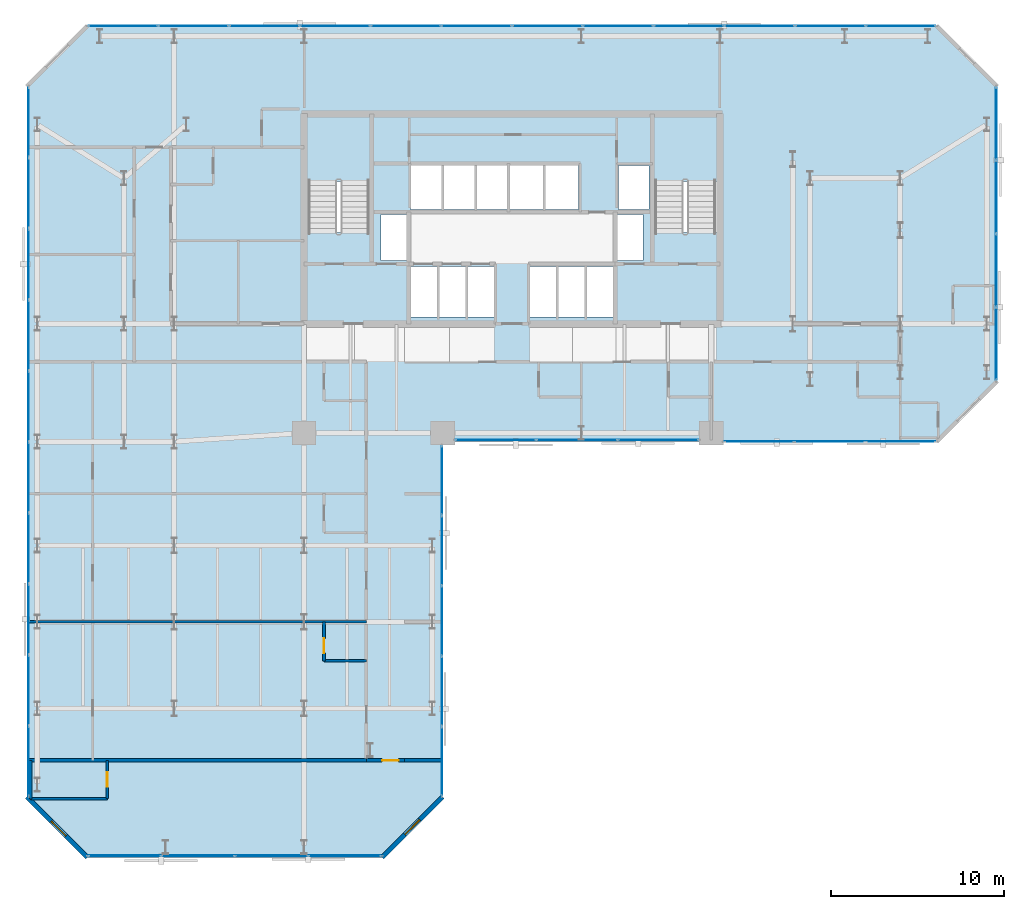
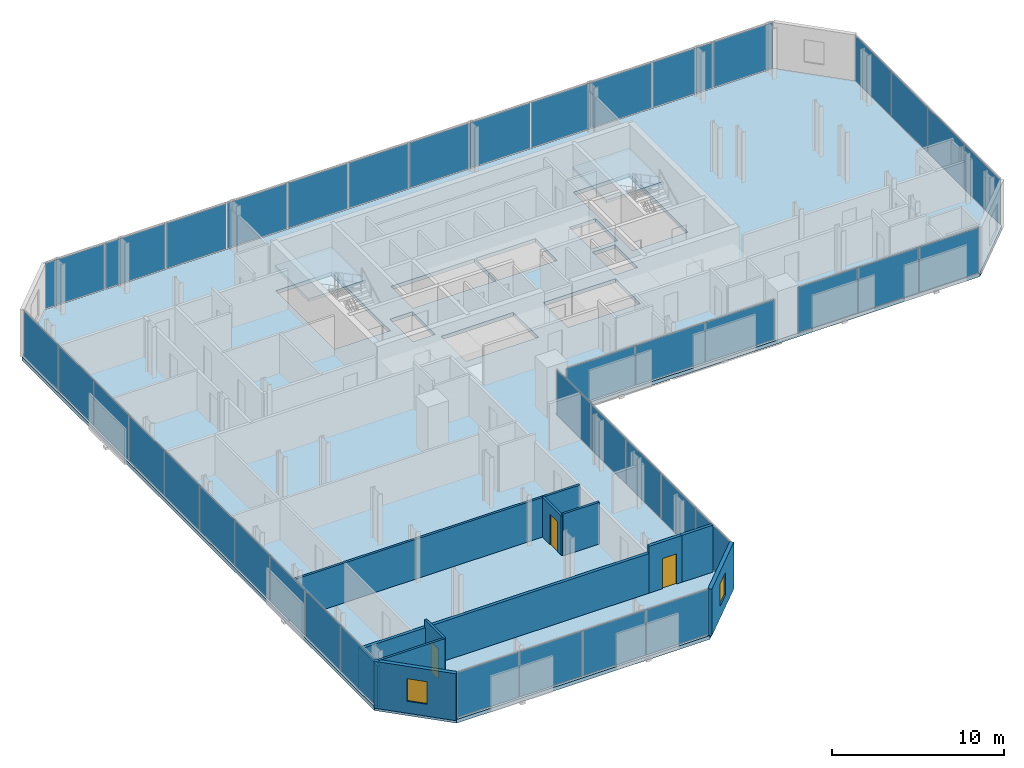
# One storey, part 28 of 33: 41 plates, 11 walls, 3 doors, 3 slabs, 2 windows, 5 openings, 9 elements without a shape of their own.
"""IFC4 building model written with IfcOpenShell, lengths in metres."""

from ifc_helpers import new_model, si_unit, direction, frame, frame_2d, origin, origin_2d, place, context, subcontext, project, spatial, polyline, rectangle, outline, extrude, material, layer, layer_set, type_object, element, fill, aggregate, save


model = new_model("IFC4")

# Units and contexts
model_context = context("Model", 3, precision=1e-05, world=origin(), true_north=direction((0.0, 1.0)))
body_context = subcontext(model_context, "Body", "Model", "MODEL_VIEW")
ifc_project = project(units=[si_unit("LENGTHUNIT", "METRE"), si_unit("AREAUNIT", "SQUARE_METRE"), si_unit("VOLUMEUNIT", "CUBIC_METRE"), si_unit("PLANEANGLEUNIT", "RADIAN"), si_unit("MASSUNIT", "GRAM", prefix="KILO")], contexts=[model_context])

# Site, building, storey
site_placement = place(None, origin())
site = spatial("IfcSite", under=ifc_project, at=site_placement, CompositionType="ELEMENT")
building_placement = place(site_placement, origin())
building = spatial("IfcBuilding", under=site, at=building_placement, Name="Catumbela Crestline Tower", CompositionType="ELEMENT")
storey_placement = place(building_placement, frame((0.0, 0.0, 47.4)))
storey = spatial("IfcBuildingStorey", under=building, at=storey_placement, Name="L11", CompositionType="ELEMENT", Elevation=47.4)

# Curtain wall, plates
ifc_material_1 = material(Name="Aluminium alloy AW-6060-T66", Category="aluminium")
ifc_layer_1 = layer(ifc_material_1, 0.18, Name="Aluminium alloy AW-6060-T66")
ifc_layer_set_1 = layer_set([ifc_layer_1], Name="Aluminium alloy AW-6060-T66")
curtain_wall_type = type_object("IfcCurtainWallType", Name="CWU-Z1", PredefinedType="USERDEFINED", material=ifc_layer_set_1)
curtain_wall_1_placement = place(storey_placement, origin())
curtain_wall_1 = element("IfcCurtainWall", 1, at=curtain_wall_1_placement, inside=storey, type_object=curtain_wall_type, Name="L11 Unitised Curtain Wall CW-L11-E0S1", ObjectType="UNITISED", PredefinedType="USERDEFINED")
ifc_material_2 = material(Name="Low-E laminated solar-control double glazing", Category="glass")
ifc_layer_2 = layer(ifc_material_2, 0.034, Name="Low-E laminated solar-control double glazing")
ifc_layer_set_2 = layer_set([ifc_layer_2], Name="Low-E laminated solar-control double glazing")
plate_type = type_object("IfcPlateType", Name="PNL-GLZ-Z1", PredefinedType="CURTAIN_PANEL", material=ifc_layer_set_2)
plate_1_placement = place(storey_placement, frame((5.6412, 0.1, 0.06), z_axis=(0.0, 0.0, 1.0), x_axis=(1.0, 0.0, 0.0)))
plate_1 = element("IfcPlate", 2, at=plate_1_placement, type_object=plate_type, Name="CWU-Z1 panel 1.1", PredefinedType="CURTAIN_PANEL", context=body_context, shape_type="SweptSolid", body=[
    extrude(rectangle(XDim=4.1525, YDim=0.034, at=origin_2d()), origin(), (0.0, 0.0, 1.0), 3.21),
])
plate_2_placement = place(storey_placement, frame((9.875, 0.1, 0.06), z_axis=(0.0, 0.0, 1.0), x_axis=(1.0, 0.0, 0.0)))
plate_2 = element("IfcPlate", 3, at=plate_2_placement, type_object=plate_type, Name="CWU-Z1 panel 2.1", PredefinedType="CURTAIN_PANEL", context=body_context, shape_type="SweptSolid", body=[
    extrude(rectangle(XDim=4.185, YDim=0.034, at=origin_2d()), origin(), (0.0, 0.0, 1.0), 3.21),
])
plate_3_placement = place(storey_placement, frame((14.125, 0.1, 0.06), z_axis=(0.0, 0.0, 1.0), x_axis=(1.0, 0.0, 0.0)))
plate_3 = element("IfcPlate", 4, at=plate_3_placement, type_object=plate_type, Name="CWU-Z1 panel 3.1", PredefinedType="CURTAIN_PANEL", context=body_context, shape_type="SweptSolid", body=[
    extrude(rectangle(XDim=4.185, YDim=0.034, at=origin_2d()), origin(), (0.0, 0.0, 1.0), 3.21),
])
plate_4_placement = place(storey_placement, frame((18.3588, 0.1, 0.06), z_axis=(0.0, 0.0, 1.0), x_axis=(1.0, 0.0, 0.0)))
plate_4 = element("IfcPlate", 5, at=plate_4_placement, type_object=plate_type, Name="CWU-Z1 panel 4.1", PredefinedType="CURTAIN_PANEL", context=body_context, shape_type="SweptSolid", body=[
    extrude(rectangle(XDim=4.1525, YDim=0.034, at=origin_2d()), origin(), (0.0, 0.0, 1.0), 3.21),
])
aggregate(curtain_wall_1, [plate_1, plate_2, plate_3, plate_4])

curtain_wall_2_placement = place(storey_placement, origin())
curtain_wall_2 = element("IfcCurtainWall", 6, at=curtain_wall_2_placement, inside=storey, type_object=curtain_wall_type, Name="L11 Unitised Curtain Wall CW-L11-E2S1", ObjectType="UNITISED", PredefinedType="USERDEFINED")
plate_5_placement = place(storey_placement, frame((23.95, 5.5462, 0.06), z_axis=(0.0, 0.0, 1.0), x_axis=(0.0, 1.0, 0.0)))
plate_5 = element("IfcPlate", 7, at=plate_5_placement, type_object=plate_type, Name="CWU-Z1 panel 1.1", PredefinedType="CURTAIN_PANEL", context=body_context, shape_type="SweptSolid", body=[
    extrude(rectangle(XDim=3.9625, YDim=0.034, at=origin_2d()), origin(), (0.0, 0.0, 1.0), 3.21),
])
plate_6_placement = place(storey_placement, frame((23.95, 9.59, 0.06), z_axis=(0.0, 0.0, 1.0), x_axis=(0.0, 1.0, 0.0)))
plate_6 = element("IfcPlate", 8, at=plate_6_placement, type_object=plate_type, Name="CWU-Z1 panel 2.1", PredefinedType="CURTAIN_PANEL", context=body_context, shape_type="SweptSolid", body=[
    extrude(rectangle(XDim=3.995, YDim=0.034, at=origin_2d()), origin(), (0.0, 0.0, 1.0), 3.21),
])
plate_7_placement = place(storey_placement, frame((23.95, 13.65, 0.06), z_axis=(0.0, 0.0, 1.0), x_axis=(0.0, 1.0, 0.0)))
plate_7 = element("IfcPlate", 9, at=plate_7_placement, type_object=plate_type, Name="CWU-Z1 panel 3.1", PredefinedType="CURTAIN_PANEL", context=body_context, shape_type="SweptSolid", body=[
    extrude(rectangle(XDim=3.995, YDim=0.034, at=origin_2d()), origin(), (0.0, 0.0, 1.0), 3.21),
])
plate_8_placement = place(storey_placement, frame((23.95, 17.71, 0.06), z_axis=(0.0, 0.0, 1.0), x_axis=(0.0, 1.0, 0.0)))
plate_8 = element("IfcPlate", 10, at=plate_8_placement, type_object=plate_type, Name="CWU-Z1 panel 4.1", PredefinedType="CURTAIN_PANEL", context=body_context, shape_type="SweptSolid", body=[
    extrude(rectangle(XDim=3.995, YDim=0.034, at=origin_2d()), origin(), (0.0, 0.0, 1.0), 3.21),
])
plate_9_placement = place(storey_placement, frame((23.95, 21.7538, 0.06), z_axis=(0.0, 0.0, 1.0), x_axis=(0.0, 1.0, 0.0)))
plate_9 = element("IfcPlate", 11, at=plate_9_placement, type_object=plate_type, Name="CWU-Z1 panel 5.1", PredefinedType="CURTAIN_PANEL", context=body_context, shape_type="SweptSolid", body=[
    extrude(rectangle(XDim=3.9625, YDim=0.034, at=origin_2d()), origin(), (0.0, 0.0, 1.0), 3.21),
])
aggregate(curtain_wall_2, [plate_5, plate_6, plate_7, plate_8, plate_9])

curtain_wall_3_placement = place(storey_placement, origin())
curtain_wall_3 = element("IfcCurtainWall", 12, at=curtain_wall_3_placement, inside=storey, type_object=curtain_wall_type, Name="L11 Unitised Curtain Wall CW-L11-E3S1", ObjectType="UNITISED", PredefinedType="USERDEFINED")
plate_10_placement = place(storey_placement, frame((27.0662, 24.1, 0.06), z_axis=(0.0, 0.0, 1.0), x_axis=(1.0, 0.0, 0.0)))
plate_10 = element("IfcPlate", 13, at=plate_10_placement, type_object=plate_type, Name="CWU-Z1 panel 1.1", PredefinedType="CURTAIN_PANEL", context=body_context, shape_type="SweptSolid", body=[
    extrude(rectangle(XDim=4.6025, YDim=0.034, at=origin_2d()), origin(), (0.0, 0.0, 1.0), 2.81),
])
plate_11_placement = place(storey_placement, frame((31.75, 24.1, 0.06), z_axis=(0.0, 0.0, 1.0), x_axis=(1.0, 0.0, 0.0)))
plate_11 = element("IfcPlate", 14, at=plate_11_placement, type_object=plate_type, Name="CWU-Z1 panel 2.1", PredefinedType="CURTAIN_PANEL", context=body_context, shape_type="SweptSolid", body=[
    extrude(rectangle(XDim=4.635, YDim=0.034, at=origin_2d()), origin(), (0.0, 0.0, 1.0), 2.81),
])
plate_12_placement = place(storey_placement, frame((36.4338, 24.1, 0.06), z_axis=(0.0, 0.0, 1.0), x_axis=(1.0, 0.0, 0.0)))
plate_12 = element("IfcPlate", 15, at=plate_12_placement, type_object=plate_type, Name="CWU-Z1 panel 3.1", PredefinedType="CURTAIN_PANEL", context=body_context, shape_type="SweptSolid", body=[
    extrude(rectangle(XDim=4.6025, YDim=0.034, at=origin_2d()), origin(), (0.0, 0.0, 1.0), 2.81),
])
aggregate(curtain_wall_3, [plate_10, plate_11, plate_12])

curtain_wall_4_placement = place(storey_placement, origin())
curtain_wall_4 = element("IfcCurtainWall", 16, at=curtain_wall_4_placement, inside=storey, type_object=curtain_wall_type, Name="L11 Unitised Curtain Wall CW-L11-E3S2", ObjectType="UNITISED", PredefinedType="USERDEFINED")
plate_13_placement = place(storey_placement, frame((42.2662, 24.0, 0.06), z_axis=(0.0, 0.0, 1.0), x_axis=(1.0, 0.0, 0.0)))
plate_13 = element("IfcPlate", 17, at=plate_13_placement, type_object=plate_type, Name="CWU-Z1 panel 1.1", PredefinedType="CURTAIN_PANEL", context=body_context, shape_type="SweptSolid", body=[
    extrude(rectangle(XDim=4.0025, YDim=0.034, at=origin_2d()), origin(), (0.0, 0.0, 1.0), 3.21),
])
plate_14_placement = place(storey_placement, frame((46.35, 24.0, 0.06), z_axis=(0.0, 0.0, 1.0), x_axis=(1.0, 0.0, 0.0)))
plate_14 = element("IfcPlate", 18, at=plate_14_placement, type_object=plate_type, Name="CWU-Z1 panel 2.1", PredefinedType="CURTAIN_PANEL", context=body_context, shape_type="SweptSolid", body=[
    extrude(rectangle(XDim=4.035, YDim=0.034, at=origin_2d()), origin(), (0.0, 0.0, 1.0), 3.21),
])
plate_15_placement = place(storey_placement, frame((50.4338, 24.0, 0.06), z_axis=(0.0, 0.0, 1.0), x_axis=(1.0, 0.0, 0.0)))
plate_15 = element("IfcPlate", 19, at=plate_15_placement, type_object=plate_type, Name="CWU-Z1 panel 3.1", PredefinedType="CURTAIN_PANEL", context=body_context, shape_type="SweptSolid", body=[
    extrude(rectangle(XDim=4.0025, YDim=0.034, at=origin_2d()), origin(), (0.0, 0.0, 1.0), 3.21),
])
aggregate(curtain_wall_4, [plate_13, plate_14, plate_15])

curtain_wall_5_placement = place(storey_placement, origin())
curtain_wall_5 = element("IfcCurtainWall", 20, at=curtain_wall_5_placement, inside=storey, type_object=curtain_wall_type, Name="L11 Unitised Curtain Wall CW-L11-E5S1", ObjectType="UNITISED", PredefinedType="USERDEFINED")
plate_16_placement = place(storey_placement, frame((55.95, 29.6412, 0.06), z_axis=(0.0, 0.0, 1.0), x_axis=(0.0, 1.0, 0.0)))
plate_16 = element("IfcPlate", 21, at=plate_16_placement, type_object=plate_type, Name="CWU-Z1 panel 1.1", PredefinedType="CURTAIN_PANEL", context=body_context, shape_type="SweptSolid", body=[
    extrude(rectangle(XDim=4.1525, YDim=0.034, at=origin_2d()), origin(), (0.0, 0.0, 1.0), 3.21),
])
plate_17_placement = place(storey_placement, frame((55.95, 33.875, 0.06), z_axis=(0.0, 0.0, 1.0), x_axis=(0.0, 1.0, 0.0)))
plate_17 = element("IfcPlate", 22, at=plate_17_placement, type_object=plate_type, Name="CWU-Z1 panel 2.1", PredefinedType="CURTAIN_PANEL", context=body_context, shape_type="SweptSolid", body=[
    extrude(rectangle(XDim=4.185, YDim=0.034, at=origin_2d()), origin(), (0.0, 0.0, 1.0), 3.21),
])
plate_18_placement = place(storey_placement, frame((55.95, 38.125, 0.06), z_axis=(0.0, 0.0, 1.0), x_axis=(0.0, 1.0, 0.0)))
plate_18 = element("IfcPlate", 23, at=plate_18_placement, type_object=plate_type, Name="CWU-Z1 panel 3.1", PredefinedType="CURTAIN_PANEL", context=body_context, shape_type="SweptSolid", body=[
    extrude(rectangle(XDim=4.185, YDim=0.034, at=origin_2d()), origin(), (0.0, 0.0, 1.0), 3.21),
])
plate_19_placement = place(storey_placement, frame((55.95, 42.3588, 0.06), z_axis=(0.0, 0.0, 1.0), x_axis=(0.0, 1.0, 0.0)))
plate_19 = element("IfcPlate", 24, at=plate_19_placement, type_object=plate_type, Name="CWU-Z1 panel 4.1", PredefinedType="CURTAIN_PANEL", context=body_context, shape_type="SweptSolid", body=[
    extrude(rectangle(XDim=4.1525, YDim=0.034, at=origin_2d()), origin(), (0.0, 0.0, 1.0), 3.21),
])
aggregate(curtain_wall_5, [plate_16, plate_17, plate_18, plate_19])

curtain_wall_6_placement = place(storey_placement, origin())
curtain_wall_6 = element("IfcCurtainWall", 25, at=curtain_wall_6_placement, inside=storey, type_object=curtain_wall_type, Name="L11 Unitised Curtain Wall CW-L11-E7S1", ObjectType="UNITISED", PredefinedType="USERDEFINED")
plate_20_placement = place(storey_placement, frame((50.4421, 48.0, 0.06), z_axis=(0.0, 0.0, 1.0), x_axis=(-1.0, 0.0, 0.0)))
plate_20 = element("IfcPlate", 26, at=plate_20_placement, type_object=plate_type, Name="CWU-Z1 panel 1.1", PredefinedType="CURTAIN_PANEL", context=body_context, shape_type="SweptSolid", body=[
    extrude(rectangle(XDim=3.9858, YDim=0.034, at=origin_2d()), origin(), (0.0, 0.0, 1.0), 3.21),
])
plate_21_placement = place(storey_placement, frame((46.375, 48.0, 0.06), z_axis=(0.0, 0.0, 1.0), x_axis=(-1.0, 0.0, 0.0)))
plate_21 = element("IfcPlate", 27, at=plate_21_placement, type_object=plate_type, Name="CWU-Z1 panel 2.1", PredefinedType="CURTAIN_PANEL", context=body_context, shape_type="SweptSolid", body=[
    extrude(rectangle(XDim=4.0183, YDim=0.034, at=origin_2d()), origin(), (0.0, 0.0, 1.0), 3.21),
])
plate_22_placement = place(storey_placement, frame((42.2917, 48.0, 0.06), z_axis=(0.0, 0.0, 1.0), x_axis=(-1.0, 0.0, 0.0)))
plate_22 = element("IfcPlate", 28, at=plate_22_placement, type_object=plate_type, Name="CWU-Z1 panel 3.1", PredefinedType="CURTAIN_PANEL", context=body_context, shape_type="SweptSolid", body=[
    extrude(rectangle(XDim=4.0183, YDim=0.034, at=origin_2d()), origin(), (0.0, 0.0, 1.0), 3.21),
])
plate_23_placement = place(storey_placement, frame((38.2083, 48.0, 0.06), z_axis=(0.0, 0.0, 1.0), x_axis=(-1.0, 0.0, 0.0)))
plate_23 = element("IfcPlate", 29, at=plate_23_placement, type_object=plate_type, Name="CWU-Z1 panel 4.1", PredefinedType="CURTAIN_PANEL", context=body_context, shape_type="SweptSolid", body=[
    extrude(rectangle(XDim=4.0183, YDim=0.034, at=origin_2d()), origin(), (0.0, 0.0, 1.0), 3.21),
])
plate_24_placement = place(storey_placement, frame((34.125, 48.0, 0.06), z_axis=(0.0, 0.0, 1.0), x_axis=(-1.0, 0.0, 0.0)))
plate_24 = element("IfcPlate", 30, at=plate_24_placement, type_object=plate_type, Name="CWU-Z1 panel 5.1", PredefinedType="CURTAIN_PANEL", context=body_context, shape_type="SweptSolid", body=[
    extrude(rectangle(XDim=4.0183, YDim=0.034, at=origin_2d()), origin(), (0.0, 0.0, 1.0), 3.21),
])
plate_25_placement = place(storey_placement, frame((30.0417, 48.0, 0.06), z_axis=(0.0, 0.0, 1.0), x_axis=(-1.0, 0.0, 0.0)))
plate_25 = element("IfcPlate", 31, at=plate_25_placement, type_object=plate_type, Name="CWU-Z1 panel 6.1", PredefinedType="CURTAIN_PANEL", context=body_context, shape_type="SweptSolid", body=[
    extrude(rectangle(XDim=4.0183, YDim=0.034, at=origin_2d()), origin(), (0.0, 0.0, 1.0), 3.21),
])
plate_26_placement = place(storey_placement, frame((25.9583, 48.0, 0.06), z_axis=(0.0, 0.0, 1.0), x_axis=(-1.0, 0.0, 0.0)))
plate_26 = element("IfcPlate", 32, at=plate_26_placement, type_object=plate_type, Name="CWU-Z1 panel 7.1", PredefinedType="CURTAIN_PANEL", context=body_context, shape_type="SweptSolid", body=[
    extrude(rectangle(XDim=4.0183, YDim=0.034, at=origin_2d()), origin(), (0.0, 0.0, 1.0), 3.21),
])
plate_27_placement = place(storey_placement, frame((21.875, 48.0, 0.06), z_axis=(0.0, 0.0, 1.0), x_axis=(-1.0, 0.0, 0.0)))
plate_27 = element("IfcPlate", 33, at=plate_27_placement, type_object=plate_type, Name="CWU-Z1 panel 8.1", PredefinedType="CURTAIN_PANEL", context=body_context, shape_type="SweptSolid", body=[
    extrude(rectangle(XDim=4.0183, YDim=0.034, at=origin_2d()), origin(), (0.0, 0.0, 1.0), 3.21),
])
plate_28_placement = place(storey_placement, frame((17.7917, 48.0, 0.06), z_axis=(0.0, 0.0, 1.0), x_axis=(-1.0, 0.0, 0.0)))
plate_28 = element("IfcPlate", 34, at=plate_28_placement, type_object=plate_type, Name="CWU-Z1 panel 9.1", PredefinedType="CURTAIN_PANEL", context=body_context, shape_type="SweptSolid", body=[
    extrude(rectangle(XDim=4.0183, YDim=0.034, at=origin_2d()), origin(), (0.0, 0.0, 1.0), 3.21),
])
plate_29_placement = place(storey_placement, frame((13.7083, 48.0, 0.06), z_axis=(0.0, 0.0, 1.0), x_axis=(-1.0, 0.0, 0.0)))
plate_29 = element("IfcPlate", 35, at=plate_29_placement, type_object=plate_type, Name="CWU-Z1 panel 10.1", PredefinedType="CURTAIN_PANEL", context=body_context, shape_type="SweptSolid", body=[
    extrude(rectangle(XDim=4.0183, YDim=0.034, at=origin_2d()), origin(), (0.0, 0.0, 1.0), 3.21),
])
plate_30_placement = place(storey_placement, frame((9.625, 48.0, 0.06), z_axis=(0.0, 0.0, 1.0), x_axis=(-1.0, 0.0, 0.0)))
plate_30 = element("IfcPlate", 36, at=plate_30_placement, type_object=plate_type, Name="CWU-Z1 panel 11.1", PredefinedType="CURTAIN_PANEL", context=body_context, shape_type="SweptSolid", body=[
    extrude(rectangle(XDim=4.0183, YDim=0.034, at=origin_2d()), origin(), (0.0, 0.0, 1.0), 3.21),
])
plate_31_placement = place(storey_placement, frame((5.5579, 48.0, 0.06), z_axis=(0.0, 0.0, 1.0), x_axis=(-1.0, 0.0, 0.0)))
plate_31 = element("IfcPlate", 37, at=plate_31_placement, type_object=plate_type, Name="CWU-Z1 panel 12.1", PredefinedType="CURTAIN_PANEL", context=body_context, shape_type="SweptSolid", body=[
    extrude(rectangle(XDim=3.9858, YDim=0.034, at=origin_2d()), origin(), (0.0, 0.0, 1.0), 3.21),
])
aggregate(curtain_wall_6, [plate_20, plate_21, plate_22, plate_23, plate_24, plate_25, plate_26, plate_27, plate_28, plate_29, plate_30, plate_31])

curtain_wall_7_placement = place(storey_placement, origin())
curtain_wall_7 = element("IfcCurtainWall", 38, at=curtain_wall_7_placement, inside=storey, type_object=curtain_wall_type, Name="L11 Unitised Curtain Wall CW-L11-E9S1", ObjectType="UNITISED", PredefinedType="USERDEFINED")
plate_32_placement = place(storey_placement, frame((0.1, 42.4338, 0.06), z_axis=(0.0, 0.0, 1.0), x_axis=(0.0, -1.0, 0.0)))
plate_32 = element("IfcPlate", 39, at=plate_32_placement, type_object=plate_type, Name="CWU-Z1 panel 1.1", PredefinedType="CURTAIN_PANEL", context=body_context, shape_type="SweptSolid", body=[
    extrude(rectangle(XDim=4.0025, YDim=0.034, at=origin_2d()), origin(), (0.0, 0.0, 1.0), 3.21),
])
plate_33_placement = place(storey_placement, frame((0.1, 38.35, 0.06), z_axis=(0.0, 0.0, 1.0), x_axis=(0.0, -1.0, 0.0)))
plate_33 = element("IfcPlate", 40, at=plate_33_placement, type_object=plate_type, Name="CWU-Z1 panel 2.1", PredefinedType="CURTAIN_PANEL", context=body_context, shape_type="SweptSolid", body=[
    extrude(rectangle(XDim=4.035, YDim=0.034, at=origin_2d()), origin(), (0.0, 0.0, 1.0), 3.21),
])
plate_34_placement = place(storey_placement, frame((0.1, 34.25, 0.06), z_axis=(0.0, 0.0, 1.0), x_axis=(0.0, -1.0, 0.0)))
plate_34 = element("IfcPlate", 41, at=plate_34_placement, type_object=plate_type, Name="CWU-Z1 panel 3.1", PredefinedType="CURTAIN_PANEL", context=body_context, shape_type="SweptSolid", body=[
    extrude(rectangle(XDim=4.035, YDim=0.034, at=origin_2d()), origin(), (0.0, 0.0, 1.0), 3.21),
])
plate_35_placement = place(storey_placement, frame((0.1, 30.15, 0.06), z_axis=(0.0, 0.0, 1.0), x_axis=(0.0, -1.0, 0.0)))
plate_35 = element("IfcPlate", 42, at=plate_35_placement, type_object=plate_type, Name="CWU-Z1 panel 4.1", PredefinedType="CURTAIN_PANEL", context=body_context, shape_type="SweptSolid", body=[
    extrude(rectangle(XDim=4.035, YDim=0.034, at=origin_2d()), origin(), (0.0, 0.0, 1.0), 3.21),
])
plate_36_placement = place(storey_placement, frame((0.1, 26.05, 0.06), z_axis=(0.0, 0.0, 1.0), x_axis=(0.0, -1.0, 0.0)))
plate_36 = element("IfcPlate", 43, at=plate_36_placement, type_object=plate_type, Name="CWU-Z1 panel 5.1", PredefinedType="CURTAIN_PANEL", context=body_context, shape_type="SweptSolid", body=[
    extrude(rectangle(XDim=4.035, YDim=0.034, at=origin_2d()), origin(), (0.0, 0.0, 1.0), 3.21),
])
plate_37_placement = place(storey_placement, frame((0.1, 21.95, 0.06), z_axis=(0.0, 0.0, 1.0), x_axis=(0.0, -1.0, 0.0)))
plate_37 = element("IfcPlate", 44, at=plate_37_placement, type_object=plate_type, Name="CWU-Z1 panel 6.1", PredefinedType="CURTAIN_PANEL", context=body_context, shape_type="SweptSolid", body=[
    extrude(rectangle(XDim=4.035, YDim=0.034, at=origin_2d()), origin(), (0.0, 0.0, 1.0), 3.21),
])
plate_38_placement = place(storey_placement, frame((0.1, 17.85, 0.06), z_axis=(0.0, 0.0, 1.0), x_axis=(0.0, -1.0, 0.0)))
plate_38 = element("IfcPlate", 45, at=plate_38_placement, type_object=plate_type, Name="CWU-Z1 panel 7.1", PredefinedType="CURTAIN_PANEL", context=body_context, shape_type="SweptSolid", body=[
    extrude(rectangle(XDim=4.035, YDim=0.034, at=origin_2d()), origin(), (0.0, 0.0, 1.0), 3.21),
])
plate_39_placement = place(storey_placement, frame((0.1, 13.75, 0.06), z_axis=(0.0, 0.0, 1.0), x_axis=(0.0, -1.0, 0.0)))
plate_39 = element("IfcPlate", 46, at=plate_39_placement, type_object=plate_type, Name="CWU-Z1 panel 8.1", PredefinedType="CURTAIN_PANEL", context=body_context, shape_type="SweptSolid", body=[
    extrude(rectangle(XDim=4.035, YDim=0.034, at=origin_2d()), origin(), (0.0, 0.0, 1.0), 3.21),
])
plate_40_placement = place(storey_placement, frame((0.1, 9.65, 0.06), z_axis=(0.0, 0.0, 1.0), x_axis=(0.0, -1.0, 0.0)))
plate_40 = element("IfcPlate", 47, at=plate_40_placement, type_object=plate_type, Name="CWU-Z1 panel 9.1", PredefinedType="CURTAIN_PANEL", context=body_context, shape_type="SweptSolid", body=[
    extrude(rectangle(XDim=4.035, YDim=0.034, at=origin_2d()), origin(), (0.0, 0.0, 1.0), 3.21),
])
plate_41_placement = place(storey_placement, frame((0.1, 5.5662, 0.06), z_axis=(0.0, 0.0, 1.0), x_axis=(0.0, -1.0, 0.0)))
plate_41 = element("IfcPlate", 48, at=plate_41_placement, type_object=plate_type, Name="CWU-Z1 panel 10.1", PredefinedType="CURTAIN_PANEL", context=body_context, shape_type="SweptSolid", body=[
    extrude(rectangle(XDim=4.0025, YDim=0.034, at=origin_2d()), origin(), (0.0, 0.0, 1.0), 3.21),
])
aggregate(curtain_wall_7, [plate_32, plate_33, plate_34, plate_35, plate_36, plate_37, plate_38, plate_39, plate_40, plate_41])

# Stair, slab
ifc_material_3 = material(Name="Concrete C45/55", Category="concrete")
stair_type = type_object("IfcStairType", Name="ST-DLG", PredefinedType="HALF_TURN_STAIR", material=ifc_material_3)
stair_1_placement = place(storey_placement, origin())
stair_1 = element("IfcStair", 49, at=stair_1_placement, inside=storey, type_object=stair_type, Name="L11 West Core Pressurised Exit Stair ST-01", PredefinedType="HALF_TURN_STAIR")
ifc_layer_3 = layer(ifc_material_3, 0.2, Name="Concrete C45/55")
ifc_layer_set_3 = layer_set([ifc_layer_3], Name="Concrete C45/55")
slab_type_1 = type_object("IfcSlabType", Name="SL-LND", PredefinedType="LANDING", material=ifc_layer_set_3)
slab_1_placement = place(storey_placement, frame((0.0, 0.0, 1.6)))
slab_1 = element("IfcSlab", 50, at=slab_1_placement, type_object=slab_type_1, Name="ST-01 landing 1", PredefinedType="LANDING", context=body_context, shape_type="SweptSolid", body=[
    extrude(outline(polyline([(19.91, 39.02), (19.91, 42.96), (16.09, 42.96), (16.09, 39.02), (19.91, 39.02)])), origin(), (0.0, 0.0, 1.0), 0.2),
])
aggregate(stair_1, [slab_1])

stair_2_placement = place(storey_placement, origin())
stair_2 = element("IfcStair", 51, at=stair_2_placement, inside=storey, type_object=stair_type, Name="L11 East Core Pressurised Exit Stair ST-02", PredefinedType="HALF_TURN_STAIR")
slab_2_placement = place(storey_placement, frame((0.0, 0.0, 1.6)))
slab_2 = element("IfcSlab", 52, at=slab_2_placement, type_object=slab_type_1, Name="ST-02 landing 1", PredefinedType="LANDING", context=body_context, shape_type="SweptSolid", body=[
    extrude(outline(polyline([(39.91, 39.02), (39.91, 42.96), (36.09, 42.96), (36.09, 39.02), (39.91, 39.02)])), origin(), (0.0, 0.0, 1.0), 0.2),
])
aggregate(stair_2, [slab_2])

# Slab
ifc_layer_4 = layer(ifc_material_3, 0.26, Name="Concrete C45/55")
ifc_layer_set_4 = layer_set([ifc_layer_4], Name="Concrete C45/55")
slab_type_2 = type_object("IfcSlabType", Name="SL-260", PredefinedType="FLOOR", material=ifc_layer_set_4)
slab_3_placement = place(storey_placement, frame((0.0, 0.0, -0.26)))
element("IfcSlab", 53, at=slab_3_placement, inside=storey, type_object=slab_type_2, Name="L11 Structural Floor Slab", PredefinedType="FLOOR", context=body_context, shape_type="SweptSolid", body=[
    extrude(outline(polyline([(3.5, 0.0), (20.5, 0.0), (24.0, 3.5), (24.0, 24.0), (52.5, 24.0), (56.0, 27.5), (56.0, 44.5), (52.5, 48.0), (3.5, 48.0), (0.0, 44.5), (0.0, 3.5), (3.5, 0.0)]), holes=[polyline([(16.13, 36.08), (19.87, 36.08), (19.87, 42.92), (16.13, 42.92), (16.13, 36.08)]), polyline([(36.13, 36.08), (39.87, 36.08), (39.87, 42.92), (36.13, 42.92), (36.13, 36.08)]), polyline([(22.15, 31.2), (27.0, 31.2), (27.0, 34.1), (22.15, 34.1), (22.15, 31.2)]), polyline([(29.0, 31.2), (33.85, 31.2), (33.85, 34.1), (29.0, 34.1), (29.0, 31.2)]), polyline([(22.15, 37.4), (27.75, 37.4), (27.75, 39.95), (22.15, 39.95), (22.15, 37.4)]), polyline([(27.85, 37.4), (31.85, 37.4), (31.85, 39.95), (27.85, 39.95), (27.85, 37.4)]), polyline([(20.45, 34.45), (21.95, 34.45), (21.95, 37.1), (20.45, 37.1), (20.45, 34.45)]), polyline([(34.05, 34.45), (35.55, 34.45), (35.55, 37.1), (34.05, 37.1), (34.05, 34.45)]), polyline([(34.15, 37.4), (35.9, 37.4), (35.9, 39.95), (34.15, 39.95), (34.15, 37.4)])]), origin(), (0.0, 0.0, 1.0), 0.26),
])

# Wall, opening, door
ifc_material_4 = material(Name="Acoustic gypsum and mineral-wool partition")
ifc_layer_5 = layer(ifc_material_4, 0.2, Name="Acoustic gypsum and mineral-wool partition")
ifc_layer_set_5 = layer_set([ifc_layer_5], Name="Acoustic gypsum and mineral-wool partition")
wall_type_1 = type_object("IfcWallType", Name="WC-200", PredefinedType="PARTITIONING", material=ifc_layer_set_5)
wall_1_placement = place(storey_placement, frame((19.6, 5.6, 0.0), z_axis=(0.0, 0.0, 1.0), x_axis=(1.0, 0.0, 0.0)))
wall_1 = element("IfcWall", 54, at=wall_1_placement, inside=storey, type_object=wall_type_1, Name="L11 Interior Partition PW-L11-WTIP-ENT", PredefinedType="PARTITIONING", context=body_context, shape_type="SweptSolid", body=[
    extrude(rectangle(XDim=2.2, YDim=0.2, at=frame_2d((1.1, 0.0))), origin(), (0.0, 0.0, 1.0), 3.33),
])
opening_1_placement = place(wall_1_placement, frame((0.9, 0.0, 0.0)))
opening_1 = element("IfcOpeningElement", 55, at=opening_1_placement, cuts=wall_1, Name="Opening DF6-095", PredefinedType="OPENING", context=body_context, shape_type="SweptSolid", body=[
    extrude(rectangle(XDim=0.95, YDim=2.15, at=frame_2d((0.475, 1.075))), frame((0.0, 0.11, 0.0), z_axis=(0.0, -1.0, 0.0), x_axis=(1.0, 0.0, 0.0)), (0.0, 0.0, 1.0), 0.22),
])
door_type_1 = type_object("IfcDoorType", Name="DF6-095", OperationType="NOTDEFINED", PredefinedType="DOOR", material=ifc_material_1)
door_1_placement = place(opening_1_placement, origin())
door_1 = element("IfcDoor", 56, at=door_1_placement, inside=storey, type_object=door_type_1, Name="L11 Interior Door DR-L11-WTIP-ENT", OperationType="SINGLE_SWING_RIGHT", OverallHeight=2.15, OverallWidth=0.95, PredefinedType="DOOR", context=body_context, shape_type="SweptSolid", body=[
    extrude(rectangle(XDim=0.95, YDim=2.15, at=frame_2d((0.475, 1.075))), frame((0.0, 0.025, 0.0), z_axis=(0.0, -1.0, 0.0), x_axis=(1.0, 0.0, 0.0)), (0.0, 0.0, 1.0), 0.05),
])
fill(opening_1, door_1)

# Wall, opening, window
ifc_material_5 = material(Name="Angolan grey-ochre granite", Category="masonry")
ifc_layer_6 = layer(ifc_material_5, 0.25, Name="Angolan grey-ochre granite")
ifc_layer_set_6 = layer_set([ifc_layer_6], Name="Angolan grey-ochre granite")
wall_type_2 = type_object("IfcWallType", Name="WE-250", PredefinedType="STANDARD", material=ifc_layer_set_6)
wall_2_placement = place(storey_placement, frame((20.5, 0.0, 0.0), z_axis=(0.0, 0.0, 1.0), x_axis=(0.707106781187, 0.707106781187, 0.0)))
wall_2 = element("IfcWall", 57, at=wall_2_placement, inside=storey, type_object=wall_type_2, Name="L11 Granite Punched Window Wall 1-1", PredefinedType="STANDARD", context=body_context, shape_type="SweptSolid", body=[
    extrude(rectangle(XDim=4.9497, YDim=0.25, at=frame_2d((2.4748, 0.0))), origin(), (0.0, 0.0, 1.0), 3.33),
])
opening_2_placement = place(wall_2_placement, frame((1.8748, 0.0, 0.85)))
opening_2 = element("IfcOpeningElement", 58, at=opening_2_placement, cuts=wall_2, Name="Opening WN-02", PredefinedType="OPENING", context=body_context, shape_type="SweptSolid", body=[
    extrude(rectangle(XDim=1.2, YDim=1.6, at=frame_2d((0.6, 0.8))), frame((0.0, 0.135, 0.0), z_axis=(0.0, -1.0, 0.0), x_axis=(1.0, 0.0, 0.0)), (0.0, 0.0, 1.0), 0.27),
])
window_type = type_object("IfcWindowType", Name="WO-1200", PartitioningType="SINGLE_PANEL", PredefinedType="WINDOW", material=ifc_material_2)
window_1_placement = place(opening_2_placement, origin())
window_1 = element("IfcWindow", 59, at=window_1_placement, inside=storey, type_object=window_type, Name="L11 Facade Vision Window 78", OverallHeight=1.6, OverallWidth=1.2, PartitioningType="SINGLE_PANEL", PredefinedType="WINDOW", context=body_context, shape_type="SweptSolid", body=[
    extrude(rectangle(XDim=1.2, YDim=1.6, at=frame_2d((0.6, 0.8))), frame((0.0, 0.03, 0.0), z_axis=(0.0, -1.0, 0.0), x_axis=(1.0, 0.0, 0.0)), (0.0, 0.0, 1.0), 0.06),
])
fill(opening_2, window_1)

wall_3_placement = place(storey_placement, frame((0.0, 3.5, 0.0), z_axis=(0.0, 0.0, 1.0), x_axis=(0.707106781187, -0.707106781187, 0.0)))
wall_3 = element("IfcWall", 60, at=wall_3_placement, inside=storey, type_object=wall_type_2, Name="L11 Granite Punched Window Wall 10-1", PredefinedType="STANDARD", context=body_context, shape_type="SweptSolid", body=[
    extrude(rectangle(XDim=4.9497, YDim=0.25, at=frame_2d((2.4748, 0.0))), origin(), (0.0, 0.0, 1.0), 3.33),
])
opening_3_placement = place(wall_3_placement, frame((1.9851, 0.0, 0.85)))
opening_3 = element("IfcOpeningElement", 61, at=opening_3_placement, cuts=wall_3, Name="Opening WN-02", PredefinedType="OPENING", context=body_context, shape_type="SweptSolid", body=[
    extrude(rectangle(XDim=1.2, YDim=1.6, at=frame_2d((0.6, 0.8))), frame((0.0, 0.135, 0.0), z_axis=(0.0, -1.0, 0.0), x_axis=(1.0, 0.0, 0.0)), (0.0, 0.0, 1.0), 0.27),
])
window_2_placement = place(opening_3_placement, origin())
window_2 = element("IfcWindow", 62, at=window_2_placement, inside=storey, type_object=window_type, Name="L11 Facade Vision Window 82", OverallHeight=1.6, OverallWidth=1.2, PartitioningType="SINGLE_PANEL", PredefinedType="WINDOW", context=body_context, shape_type="SweptSolid", body=[
    extrude(rectangle(XDim=1.2, YDim=1.6, at=frame_2d((0.6, 0.8))), frame((0.0, 0.03, 0.0), z_axis=(0.0, -1.0, 0.0), x_axis=(1.0, 0.0, 0.0)), (0.0, 0.0, 1.0), 0.06),
])
fill(opening_3, window_2)

# Wall
ifc_layer_7 = layer(ifc_material_4, 0.15, Name="Acoustic gypsum and mineral-wool partition")
ifc_layer_set_7 = layer_set([ifc_layer_7], Name="Acoustic gypsum and mineral-wool partition")
wall_type_3 = type_object("IfcWallType", Name="WP-150", PredefinedType="PARTITIONING", material=ifc_layer_set_7)
wall_4_placement = place(storey_placement, frame((0.2, 3.4, 0.0), z_axis=(0.0, 0.0, 1.0), x_axis=(1.0, 0.0, 0.0)))
element("IfcWall", 63, at=wall_4_placement, inside=storey, type_object=wall_type_3, Name="L11 Interior Partition PW-L11-WTIP-BHW", PredefinedType="PARTITIONING", context=body_context, shape_type="SweptSolid", body=[
    extrude(rectangle(XDim=4.45, YDim=0.15, at=frame_2d((2.225, 0.0))), origin(), (0.0, 0.0, 1.0), 3.33),
])

# Wall, opening, door
wall_5_placement = place(storey_placement, frame((4.65, 3.4, 0.0), z_axis=(0.0, 0.0, 1.0), x_axis=(0.0, 1.0, 0.0)))
wall_5 = element("IfcWall", 64, at=wall_5_placement, inside=storey, type_object=wall_type_3, Name="L11 Interior Partition PW-L11-WTIP-BEW", PredefinedType="PARTITIONING", context=body_context, shape_type="SweptSolid", body=[
    extrude(rectangle(XDim=2.2, YDim=0.15, at=frame_2d((1.1, 0.0))), origin(), (0.0, 0.0, 1.0), 3.33),
])
opening_4_placement = place(wall_5_placement, frame((0.675, 0.0, 0.0)))
opening_4 = element("IfcOpeningElement", 65, at=opening_4_placement, cuts=wall_5, Name="Opening DI-085", PredefinedType="OPENING", context=body_context, shape_type="SweptSolid", body=[
    extrude(rectangle(XDim=0.85, YDim=2.15, at=frame_2d((0.425, 1.075))), frame((0.0, 0.085, 0.0), z_axis=(0.0, -1.0, 0.0), x_axis=(1.0, 0.0, 0.0)), (0.0, 0.0, 1.0), 0.17),
])
door_type_2 = type_object("IfcDoorType", Name="DI-085", OperationType="NOTDEFINED", PredefinedType="DOOR", material=ifc_material_1)
door_2_placement = place(opening_4_placement, origin())
door_2 = element("IfcDoor", 66, at=door_2_placement, inside=storey, type_object=door_type_2, Name="L11 Interior Door DR-L11-WTIP-BTH", OperationType="SINGLE_SWING_LEFT", OverallHeight=2.15, OverallWidth=0.85, PredefinedType="DOOR", context=body_context, shape_type="SweptSolid", body=[
    extrude(rectangle(XDim=0.85, YDim=2.15, at=frame_2d((0.425, 1.075))), frame((0.0, 0.025, 0.0), z_axis=(0.0, -1.0, 0.0), x_axis=(1.0, 0.0, 0.0)), (0.0, 0.0, 1.0), 0.05),
])
fill(opening_4, door_2)

# Walls
wall_6_placement = place(storey_placement, frame((0.22, 3.38, 0.0), z_axis=(0.0, 0.0, 1.0), x_axis=(0.0, 1.0, 0.0)))
element("IfcWall", 67, at=wall_6_placement, inside=storey, type_object=wall_type_3, Name="L11 Interior Partition PW-L11-WTIP-BCL-3", PredefinedType="PARTITIONING", context=body_context, shape_type="SweptSolid", body=[
    extrude(rectangle(XDim=2.22, YDim=0.15, at=frame_2d((1.11, 0.0))), origin(), (0.0, 0.0, 1.0), 2.93),
])
wall_7_placement = place(storey_placement, frame((17.15, 11.35, 0.0), z_axis=(0.0, 0.0, 1.0), x_axis=(1.0, 0.0, 0.0)))
element("IfcWall", 68, at=wall_7_placement, inside=storey, type_object=wall_type_3, Name="L11 Interior Partition PW-L11-WL1-BSW", PredefinedType="PARTITIONING", context=body_context, shape_type="SweptSolid", body=[
    extrude(rectangle(XDim=2.45, YDim=0.15, at=frame_2d((1.225, 0.0))), origin(), (0.0, 0.0, 1.0), 2.96),
])

# Wall, opening, door
wall_8_placement = place(storey_placement, frame((17.15, 11.35, 0.0), z_axis=(0.0, 0.0, 1.0), x_axis=(0.0, 1.0, 0.0)))
wall_8 = element("IfcWall", 69, at=wall_8_placement, inside=storey, type_object=wall_type_3, Name="L11 Interior Partition PW-L11-WL1-BWW", PredefinedType="PARTITIONING", context=body_context, shape_type="SweptSolid", body=[
    extrude(rectangle(XDim=2.25, YDim=0.15, at=frame_2d((1.125, 0.0))), origin(), (0.0, 0.0, 1.0), 2.82),
])
opening_5_placement = place(wall_8_placement, frame((0.4444, 0.0, 0.0)))
opening_5 = element("IfcOpeningElement", 70, at=opening_5_placement, cuts=wall_8, Name="Opening DI-085", PredefinedType="OPENING", context=body_context, shape_type="SweptSolid", body=[
    extrude(rectangle(XDim=0.85, YDim=2.15, at=frame_2d((0.425, 1.075))), frame((0.0, 0.085, 0.0), z_axis=(0.0, -1.0, 0.0), x_axis=(1.0, 0.0, 0.0)), (0.0, 0.0, 1.0), 0.17),
])
door_3_placement = place(opening_5_placement, origin())
door_3 = element("IfcDoor", 71, at=door_3_placement, inside=storey, type_object=door_type_2, Name="L11 Interior Door DR-L11-WL1-BTH", OperationType="SINGLE_SWING_LEFT", OverallHeight=2.15, OverallWidth=0.85, PredefinedType="DOOR", context=body_context, shape_type="SweptSolid", body=[
    extrude(rectangle(XDim=0.85, YDim=2.15, at=frame_2d((0.425, 1.075))), frame((0.0, 0.025, 0.0), z_axis=(0.0, -1.0, 0.0), x_axis=(1.0, 0.0, 0.0)), (0.0, 0.0, 1.0), 0.05),
])
fill(opening_5, door_3)

# Walls
wall_9_placement = place(storey_placement, frame((0.1, 13.6, 0.0), z_axis=(0.0, 0.0, 1.0), x_axis=(1.0, 0.0, 0.0)))
element("IfcWall", 72, at=wall_9_placement, inside=storey, type_object=wall_type_3, Name="L11 Interior Partition PW-L11-WL1-BCL-1", PredefinedType="PARTITIONING", context=body_context, shape_type="SweptSolid", body=[
    extrude(rectangle(XDim=19.5, YDim=0.15, at=frame_2d((9.75, 0.0))), origin(), (0.0, 0.0, 1.0), 2.82),
])
ifc_layer_8 = layer(ifc_material_4, 0.2, Name="Acoustic gypsum and mineral-wool partition")
ifc_layer_set_8 = layer_set([ifc_layer_8], Name="Acoustic gypsum and mineral-wool partition")
wall_type_4 = type_object("IfcWallType", Name="WY-200", PredefinedType="PARTITIONING", material=ifc_layer_set_8)
wall_10_placement = place(storey_placement, frame((0.1, 5.6, 0.0), z_axis=(0.0, 0.0, 1.0), x_axis=(1.0, 0.0, 0.0)))
element("IfcWall", 73, at=wall_10_placement, inside=storey, type_object=wall_type_4, Name="L11 Interior Partition PW-L11-WTIP-WL", PredefinedType="PARTITIONING", context=body_context, shape_type="SweptSolid", body=[
    extrude(rectangle(XDim=19.5, YDim=0.2, at=frame_2d((9.75, 0.0))), origin(), (0.0, 0.0, 1.0), 2.82),
])
wall_11_placement = place(storey_placement, frame((21.8, 5.6, 0.0), z_axis=(0.0, 0.0, 1.0), x_axis=(1.0, 0.0, 0.0)))
element("IfcWall", 74, at=wall_11_placement, inside=storey, type_object=wall_type_4, Name="L11 Interior Partition PW-L11-WTIP-WR", PredefinedType="PARTITIONING", context=body_context, shape_type="SweptSolid", body=[
    extrude(rectangle(XDim=2.1, YDim=0.2, at=frame_2d((1.05, 0.0))), origin(), (0.0, 0.0, 1.0), 3.33),
])

save(model, "model.ifc")
